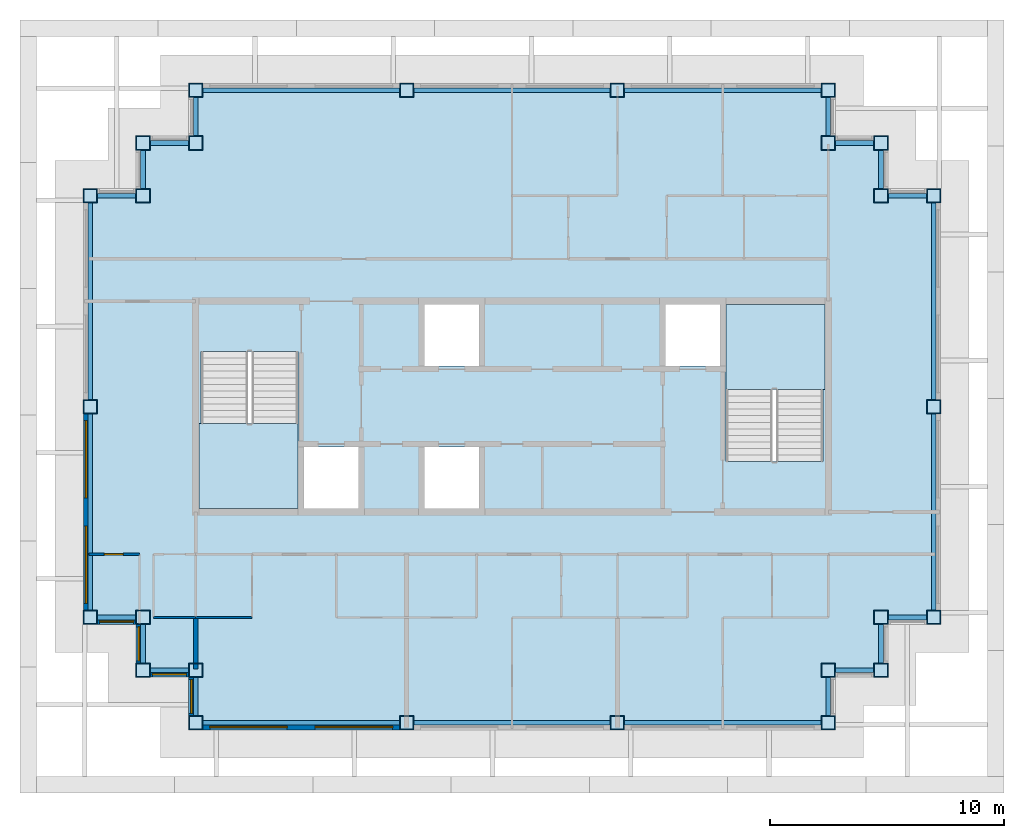
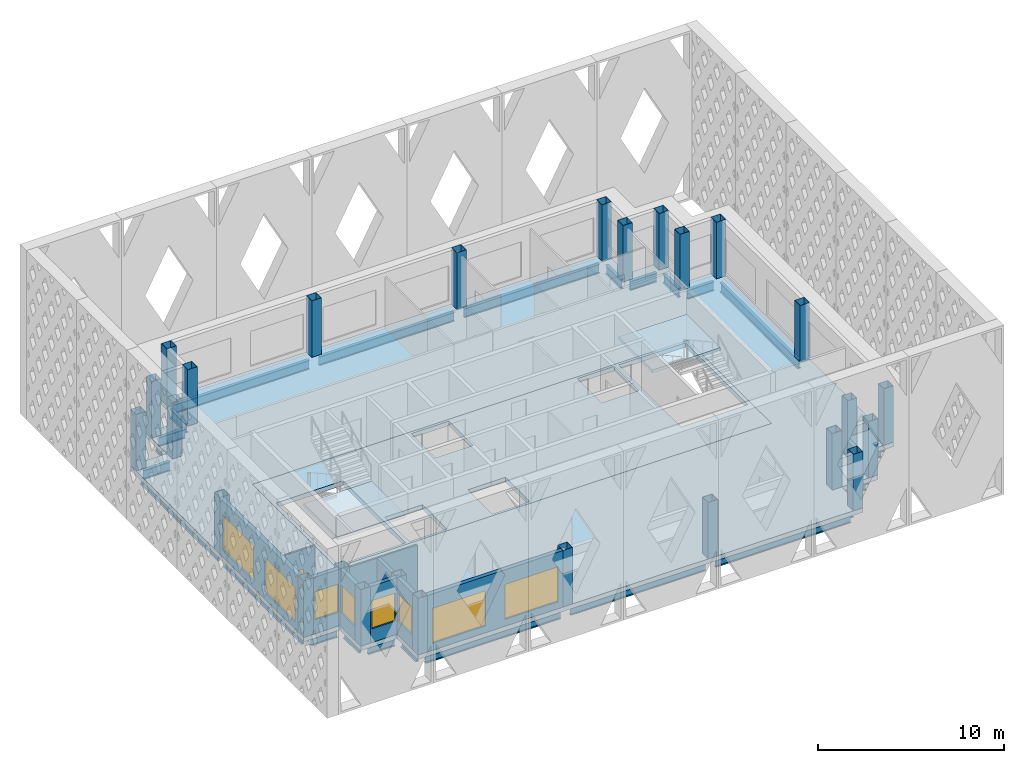
# One storey, part 1 of 13: 26 beams, 26 columns, 10 walls, 8 windows, 4 slabs, 1 door, 9 openings, 2 elements without a shape of their own.
"""IFC4 building model written with IfcOpenShell, lengths in metres."""

from ifc_helpers import new_model, si_unit, direction, frame, frame_2d, origin, origin_2d, place, context, subcontext, project, spatial, polyline, rectangle, hollow_rectangle, i_section, outline, extrude, material, layer, layer_set, material_profile, profile_set, type_object, element, fill, aggregate, save


model = new_model("IFC4")

# Units and contexts
model_context = context("Model", 3, precision=1e-05, world=origin(), true_north=direction((0.0, 1.0)))
body_context = subcontext(model_context, "Body", "Model", "MODEL_VIEW")
ifc_project = project(units=[si_unit("LENGTHUNIT", "METRE"), si_unit("AREAUNIT", "SQUARE_METRE"), si_unit("VOLUMEUNIT", "CUBIC_METRE"), si_unit("PLANEANGLEUNIT", "RADIAN"), si_unit("MASSUNIT", "GRAM", prefix="KILO")], contexts=[model_context])

# Site, building, storey
site_placement = place(None, origin())
site = spatial("IfcSite", under=ifc_project, at=site_placement, CompositionType="ELEMENT")
building_placement = place(site_placement, origin())
building = spatial("IfcBuilding", under=site, at=building_placement, Name="Caravel Reach Hotel and Residences", CompositionType="ELEMENT")
storey_placement = place(building_placement, frame((0.0, 0.0, 294.5)))
storey = spatial("IfcBuildingStorey", under=building, at=storey_placement, Name="L75", CompositionType="ELEMENT", Elevation=294.5)

# Columns
ifc_material_1 = material(Name="Concrete-filled steel tube Q390B with Concrete C60 infill", Category="concrete")
ifc_material_profile_1 = material_profile(ifc_material_1, hollow_rectangle(XDim=0.60009765625, YDim=0.60009765625, WallThickness=0.02001953125, at=origin_2d()), Name="RHS 600x600x20")
ifc_profile_set_1 = profile_set([ifc_material_profile_1], Name="Concrete-filled steel tube Q390B with Concrete C60 infill")
column_type = type_object("IfcColumnType", Name="CFT 600x600 Q390B C60", PredefinedType="COLUMN", material=ifc_profile_set_1)
for number, where, z_axis, x_axis, name in (
    (1, (45.0, 13.5, 0.0), (0.0, 0.0, 1.0), (1.0, 0.0, 0.0), "C8 column"),
    (2, (45.0, 15.75, 0.0), (0.0, 0.0, 1.0), (1.0, 0.0, 0.0), "C8 column"),
    (3, (47.25, 15.75, 0.0), (0.0, 0.0, 1.0), (1.0, 0.0, 0.0), "C8 column"),
    (4, (47.25, 18.0, 0.0), (0.0, 0.0, 1.0), (1.0, 0.0, 0.0), "C8 column"),
    (5, (49.5, 18.0, 0.0), (0.0, 0.0, 1.0), (1.0, 0.0, 0.0), "C8 column"),
    (6, (49.5, 27.0, 0.0), (0.0, 0.0, 1.0), (1.0, 0.0, 0.0), "C8 column"),
    (7, (49.5, 36.0, 0.0), (0.0, 0.0, 1.0), (1.0, 0.0, 0.0), "C8 column"),
    (8, (47.25, 36.0, 0.0), (0.0, 0.0, 1.0), (1.0, 0.0, 0.0), "C8 column"),
    (9, (47.25, 38.25, 0.0), (0.0, 0.0, 1.0), (1.0, 0.0, 0.0), "C8 column"),
    (10, (45.0, 38.25, 0.0), (0.0, 0.0, 1.0), (1.0, 0.0, 0.0), "C8 column"),
    (11, (45.0, 40.5, 0.0), (0.0, 0.0, 1.0), (1.0, 0.0, 0.0), "C8 column"),
    (12, (36.0, 40.5, 0.0), (0.0, 0.0, 1.0), (1.0, 0.0, 0.0), "C8 column"),
    (13, (27.0, 40.5, 0.0), (0.0, 0.0, 1.0), (1.0, 0.0, 0.0), "C8 column"),
    (14, (18.0, 40.5, 0.0), (0.0, 0.0, 1.0), (1.0, 0.0, 0.0), "C8 column"),
    (15, (18.0, 38.25, 0.0), (0.0, 0.0, 1.0), (1.0, 0.0, 0.0), "C8 column"),
    (16, (15.75, 38.25, 0.0), (0.0, 0.0, 1.0), (1.0, 0.0, 0.0), "C8 column"),
    (17, (15.75, 36.0, 0.0), (0.0, 0.0, 1.0), (1.0, 0.0, 0.0), "C8 column"),
    (18, (13.5, 36.0, 0.0), (0.0, 0.0, 1.0), (1.0, 0.0, 0.0), "C8 column"),
    (19, (13.5, 27.0, 0.0), (0.0, 0.0, 1.0), (1.0, 0.0, 0.0), "C8 column"),
    (20, (13.5, 18.0, 0.0), (0.0, 0.0, 1.0), (1.0, 0.0, 0.0), "C8 column"),
    (21, (15.75, 18.0, 0.0), (0.0, 0.0, 1.0), (1.0, 0.0, 0.0), "C8 column"),
    (22, (15.75, 15.75, 0.0), (0.0, 0.0, 1.0), (1.0, 0.0, 0.0), "C8 column"),
    (23, (18.0, 15.75, 0.0), (0.0, 0.0, 1.0), (1.0, 0.0, 0.0), "C8 column"),
    (24, (18.0, 13.5, 0.0), (0.0, 0.0, 1.0), (1.0, 0.0, 0.0), "C8 column"),
    (25, (27.0, 13.5, 0.0), (0.0, 0.0, 1.0), (1.0, 0.0, 0.0), "C8 column"),
    (26, (36.0, 13.5, 0.0), (0.0, 0.0, 1.0), (1.0, 0.0, 0.0), "C8 column"),
):
    element("IfcColumn", number, at=place(storey_placement, frame(where, z_axis=z_axis, x_axis=x_axis)), inside=storey, type_object=column_type, Name=name, PredefinedType="COLUMN", context=body_context, shape_type="SweptSolid", body=[
        extrude(hollow_rectangle(XDim=0.60009765625, YDim=0.60009765625, WallThickness=0.02001953125, at=origin_2d()), origin(), (0.0, 0.0, 1.0), 3.699951171875),
    ])

# Beams
ifc_material_2 = material(Name="Structural steel Q355B", Category="steel")
ifc_material_profile_2 = material_profile(ifc_material_2, i_section(OverallWidth=0.199951171875, OverallDepth=0.60009765625, WebThickness=0.010986328125, FlangeThickness=0.01708984375, FilletRadius=0.012939453125, at=origin_2d()), Name="HN 600x200x11x17")
ifc_profile_set_2 = profile_set([ifc_material_profile_2], Name="Structural steel Q355B")
beam_type = type_object("IfcBeamType", Name="Spandrel beam HN 600x200x11x17", PredefinedType="SPANDREL", material=ifc_profile_set_2)
for number, where, z_axis, x_axis, name in (
    (27, (45.0, 13.800048828125, -0.60009765625), (0.0, 1.0, 0.0), (-1.0, 0.0, 0.0), "SP1 HN 600x200x11x17"),
    (28, (45.300048828125, 15.75, -0.60009765625), (1.0, 0.0, 0.0), (0.0, 1.0, 0.0), "SP1 HN 600x200x11x17"),
    (29, (47.25, 16.050048828125, -0.60009765625), (0.0, 1.0, 0.0), (-1.0, 0.0, 0.0), "SP1 HN 600x200x11x17"),
    (30, (47.550048828125, 18.0, -0.60009765625), (1.0, 0.0, 0.0), (0.0, 1.0, 0.0), "SP1 HN 600x200x11x17"),
):
    element("IfcBeam", number, at=place(storey_placement, frame(where, z_axis=z_axis, x_axis=x_axis)), inside=storey, type_object=beam_type, Name=name, PredefinedType="SPANDREL", context=body_context, shape_type="SweptSolid", body=[
        extrude(i_section(OverallWidth=0.199951171875, OverallDepth=0.60009765625, WebThickness=0.010986328125, FlangeThickness=0.01708984375, FilletRadius=0.012939453125, at=origin_2d()), origin(), (0.0, 0.0, 1.0), 1.64990234375),
    ])
for number, where, z_axis, x_axis, name in (
    (31, (49.5, 18.300048828125, -0.60009765625), (0.0, 1.0, 0.0), (-1.0, 0.0, 0.0), "SP1 HN 600x200x11x17"),
    (32, (49.5, 27.300048828125, -0.60009765625), (0.0, 1.0, 0.0), (-1.0, 0.0, 0.0), "SP1 HN 600x200x11x17"),
):
    element("IfcBeam", number, at=place(storey_placement, frame(where, z_axis=z_axis, x_axis=x_axis)), inside=storey, type_object=beam_type, Name=name, PredefinedType="SPANDREL", context=body_context, shape_type="SweptSolid", body=[
        extrude(i_section(OverallWidth=0.199951171875, OverallDepth=0.60009765625, WebThickness=0.010986328125, FlangeThickness=0.01708984375, FilletRadius=0.012939453125, at=origin_2d()), origin(), (0.0, 0.0, 1.0), 8.39990234375),
    ])
for number, where, z_axis, x_axis, name in (
    (33, (49.199951171875, 36.0, -0.60009765625), (-1.0, 0.0, 0.0), (0.0, -1.0, 0.0), "SP1 HN 600x200x11x17"),
    (34, (47.25, 36.300048828125, -0.60009765625), (0.0, 1.0, 0.0), (-1.0, 0.0, 0.0), "SP1 HN 600x200x11x17"),
    (35, (46.949951171875, 38.25, -0.60009765625), (-1.0, 0.0, 0.0), (0.0, -1.0, 0.0), "SP1 HN 600x200x11x17"),
    (36, (45.0, 38.550048828125, -0.60009765625), (0.0, 1.0, 0.0), (-1.0, 0.0, 0.0), "SP1 HN 600x200x11x17"),
):
    element("IfcBeam", number, at=place(storey_placement, frame(where, z_axis=z_axis, x_axis=x_axis)), inside=storey, type_object=beam_type, Name=name, PredefinedType="SPANDREL", context=body_context, shape_type="SweptSolid", body=[
        extrude(i_section(OverallWidth=0.199951171875, OverallDepth=0.60009765625, WebThickness=0.010986328125, FlangeThickness=0.01708984375, FilletRadius=0.012939453125, at=origin_2d()), origin(), (0.0, 0.0, 1.0), 1.64990234375),
    ])
for number, where, z_axis, x_axis, name in (
    (37, (44.699951171875, 40.5, -0.60009765625), (-1.0, 0.0, 0.0), (0.0, -1.0, 0.0), "SP1 HN 600x200x11x17"),
    (38, (35.699951171875, 40.5, -0.60009765625), (-1.0, 0.0, 0.0), (0.0, -1.0, 0.0), "SP1 HN 600x200x11x17"),
    (39, (26.699951171875, 40.5, -0.60009765625), (-1.0, 0.0, 0.0), (0.0, -1.0, 0.0), "SP1 HN 600x200x11x17"),
):
    element("IfcBeam", number, at=place(storey_placement, frame(where, z_axis=z_axis, x_axis=x_axis)), inside=storey, type_object=beam_type, Name=name, PredefinedType="SPANDREL", context=body_context, shape_type="SweptSolid", body=[
        extrude(i_section(OverallWidth=0.199951171875, OverallDepth=0.60009765625, WebThickness=0.010986328125, FlangeThickness=0.01708984375, FilletRadius=0.012939453125, at=origin_2d()), origin(), (0.0, 0.0, 1.0), 8.39990234375),
    ])
for number, where, z_axis, x_axis, name in (
    (40, (18.0, 40.199951171875, -0.60009765625), (0.0, -1.0, 0.0), (1.0, 0.0, 0.0), "SP1 HN 600x200x11x17"),
    (41, (17.699951171875, 38.25, -0.60009765625), (-1.0, 0.0, 0.0), (0.0, -1.0, 0.0), "SP1 HN 600x200x11x17"),
    (42, (15.75, 37.949951171875, -0.60009765625), (0.0, -1.0, 0.0), (1.0, 0.0, 0.0), "SP1 HN 600x200x11x17"),
    (43, (15.449951171875, 36.0, -0.60009765625), (-1.0, 0.0, 0.0), (0.0, -1.0, 0.0), "SP1 HN 600x200x11x17"),
):
    element("IfcBeam", number, at=place(storey_placement, frame(where, z_axis=z_axis, x_axis=x_axis)), inside=storey, type_object=beam_type, Name=name, PredefinedType="SPANDREL", context=body_context, shape_type="SweptSolid", body=[
        extrude(i_section(OverallWidth=0.199951171875, OverallDepth=0.60009765625, WebThickness=0.010986328125, FlangeThickness=0.01708984375, FilletRadius=0.012939453125, at=origin_2d()), origin(), (0.0, 0.0, 1.0), 1.64990234375),
    ])
for number, where, z_axis, x_axis, name in (
    (44, (13.5, 35.699951171875, -0.60009765625), (0.0, -1.0, 0.0), (1.0, 0.0, 0.0), "SP1 HN 600x200x11x17"),
    (45, (13.5, 26.699951171875, -0.60009765625), (0.0, -1.0, 0.0), (1.0, 0.0, 0.0), "SP1 HN 600x200x11x17"),
):
    element("IfcBeam", number, at=place(storey_placement, frame(where, z_axis=z_axis, x_axis=x_axis)), inside=storey, type_object=beam_type, Name=name, PredefinedType="SPANDREL", context=body_context, shape_type="SweptSolid", body=[
        extrude(i_section(OverallWidth=0.199951171875, OverallDepth=0.60009765625, WebThickness=0.010986328125, FlangeThickness=0.01708984375, FilletRadius=0.012939453125, at=origin_2d()), origin(), (0.0, 0.0, 1.0), 8.39990234375),
    ])
for number, where, z_axis, x_axis, name in (
    (46, (13.800048828125, 18.0, -0.60009765625), (1.0, 0.0, 0.0), (0.0, 1.0, 0.0), "SP1 HN 600x200x11x17"),
    (47, (15.75, 17.699951171875, -0.60009765625), (0.0, -1.0, 0.0), (1.0, 0.0, 0.0), "SP1 HN 600x200x11x17"),
    (48, (16.050048828125, 15.75, -0.60009765625), (1.0, 0.0, 0.0), (0.0, 1.0, 0.0), "SP1 HN 600x200x11x17"),
    (49, (18.0, 15.449951171875, -0.60009765625), (0.0, -1.0, 0.0), (1.0, 0.0, 0.0), "SP1 HN 600x200x11x17"),
):
    element("IfcBeam", number, at=place(storey_placement, frame(where, z_axis=z_axis, x_axis=x_axis)), inside=storey, type_object=beam_type, Name=name, PredefinedType="SPANDREL", context=body_context, shape_type="SweptSolid", body=[
        extrude(i_section(OverallWidth=0.199951171875, OverallDepth=0.60009765625, WebThickness=0.010986328125, FlangeThickness=0.01708984375, FilletRadius=0.012939453125, at=origin_2d()), origin(), (0.0, 0.0, 1.0), 1.64990234375),
    ])
for number, where, z_axis, x_axis, name in (
    (50, (18.300048828125, 13.5, -0.60009765625), (1.0, 0.0, 0.0), (0.0, 1.0, 0.0), "SP1 HN 600x200x11x17"),
    (51, (27.300048828125, 13.5, -0.60009765625), (1.0, 0.0, 0.0), (0.0, 1.0, 0.0), "SP1 HN 600x200x11x17"),
    (52, (36.300048828125, 13.5, -0.60009765625), (1.0, 0.0, 0.0), (0.0, 1.0, 0.0), "SP1 HN 600x200x11x17"),
):
    element("IfcBeam", number, at=place(storey_placement, frame(where, z_axis=z_axis, x_axis=x_axis)), inside=storey, type_object=beam_type, Name=name, PredefinedType="SPANDREL", context=body_context, shape_type="SweptSolid", body=[
        extrude(i_section(OverallWidth=0.199951171875, OverallDepth=0.60009765625, WebThickness=0.010986328125, FlangeThickness=0.01708984375, FilletRadius=0.012939453125, at=origin_2d()), origin(), (0.0, 0.0, 1.0), 8.39990234375),
    ])

# Slab
ifc_material_3 = material(Name="Concrete C40", Category="concrete")
ifc_layer_1 = layer(ifc_material_3, 0.300048828125)
ifc_layer_set_1 = layer_set([ifc_layer_1], Name="Core floor slab 300 mm")
slab_type_1 = type_object("IfcSlabType", Name="Core floor slab 300 mm", PredefinedType="FLOOR", material=ifc_layer_set_1)
slab_1_placement = place(storey_placement, frame((0.0, 0.0, -0.300048828125)))
element("IfcSlab", 53, at=slab_1_placement, inside=storey, type_object=slab_type_1, Name="L75 core floor", PredefinedType="FLOOR", context=body_context, shape_type="SweptSolid", body=[
    extrude(outline(polyline([(18.0, 31.5), (45.0, 31.5), (45.0, 22.5), (18.0, 22.5), (18.0, 31.5)]), holes=[polyline([(22.625, 22.64990234375), (24.9462890625, 22.64990234375), (24.9462890625, 25.27490234375), (22.625, 25.27490234375), (22.625, 22.64990234375)]), polyline([(27.767822265625, 25.27490234375), (27.767822265625, 22.64990234375), (30.08935546875, 22.64990234375), (30.08935546875, 25.27490234375), (27.767822265625, 25.27490234375)]), polyline([(22.375, 22.64990234375), (22.375, 29.35009765625), (18.22509765625, 29.35009765625), (18.22509765625, 22.64990234375), (22.375, 22.64990234375)]), polyline([(40.625, 24.64990234375), (44.77490234375, 24.64990234375), (44.77490234375, 31.35009765625), (40.625, 31.35009765625), (40.625, 24.64990234375)]), polyline([(27.767822265625, 31.35009765625), (27.767822265625, 28.72509765625), (30.08935546875, 28.72509765625), (30.08935546875, 31.35009765625), (27.767822265625, 31.35009765625)]), polyline([(38.0537109375, 31.35009765625), (38.0537109375, 28.72509765625), (40.375, 28.72509765625), (40.375, 31.35009765625), (38.0537109375, 31.35009765625)])]), origin(), (0.0, 0.0, 1.0), 0.300048828125),
])

# Stair, slab
ifc_material_4 = material(Name="Concrete C40", Category="concrete")
stair_type = type_object("IfcStairType", Name="Core stair", PredefinedType="HALF_TURN_STAIR", material=ifc_material_4)
stair_1_placement = place(storey_placement, origin())
stair_1 = element("IfcStair", 54, at=stair_1_placement, inside=storey, type_object=stair_type, Name="L75 Exit stair A", PredefinedType="HALF_TURN_STAIR")
ifc_material_5 = material(Name="Concrete C40", Category="concrete")
ifc_layer_2 = layer(ifc_material_5, 0.199951171875)
ifc_layer_set_2 = layer_set([ifc_layer_2], Name="Core stair landing")
slab_type_2 = type_object("IfcSlabType", Name="Core stair landing", PredefinedType="LANDING", material=ifc_layer_set_2)
slab_2_placement = place(storey_placement, frame((0.0, 0.0, 1.64990234375)))
slab_2 = element("IfcSlab", 55, at=slab_2_placement, type_object=slab_type_2, Name="ST-A landing 1", PredefinedType="LANDING", context=body_context, shape_type="SweptSolid", body=[
    extrude(outline(polyline([(18.14990234375, 26.27001953125), (18.14990234375, 22.64990234375), (22.375, 22.64990234375), (22.375, 26.27001953125), (18.14990234375, 26.27001953125)])), origin(), (0.0, 0.0, 1.0), 0.2001953125),
])
aggregate(stair_1, [slab_2])

stair_2_placement = place(storey_placement, origin())
stair_2 = element("IfcStair", 56, at=stair_2_placement, inside=storey, type_object=stair_type, Name="L75 Exit stair B", PredefinedType="HALF_TURN_STAIR")
slab_3_placement = place(storey_placement, frame((0.0, 0.0, 1.64990234375)))
slab_3 = element("IfcSlab", 57, at=slab_3_placement, type_object=slab_type_2, Name="ST-B landing 1", PredefinedType="LANDING", context=body_context, shape_type="SweptSolid", body=[
    extrude(outline(polyline([(44.85009765625, 27.72998046875), (44.85009765625, 31.35009765625), (40.625, 31.35009765625), (40.625, 27.72998046875), (44.85009765625, 27.72998046875)])), origin(), (0.0, 0.0, 1.0), 0.2001953125),
])
aggregate(stair_2, [slab_3])

# Slab
ifc_material_6 = material(Name="Concrete C40 post-tensioned", Category="concrete")
ifc_layer_3 = layer(ifc_material_6, 0.300048828125)
ifc_layer_set_3 = layer_set([ifc_layer_3], Name="Floor slab 300")
slab_type_3 = type_object("IfcSlabType", Name="Floor slab 300", PredefinedType="FLOOR", material=ifc_layer_set_3)
slab_4_placement = place(storey_placement, frame((0.0, 0.0, -0.300048828125)))
element("IfcSlab", 58, at=slab_4_placement, inside=storey, type_object=slab_type_3, Name="S2 slab L75", PredefinedType="FLOOR", context=body_context, shape_type="SweptSolid", body=[
    extrude(outline(polyline([(17.699951171875, 15.449951171875), (15.449951171875, 15.449951171875), (15.449951171875, 17.699951171875), (13.199951171875, 17.699951171875), (13.199951171875, 36.300048828125), (15.449951171875, 36.300048828125), (15.449951171875, 38.550048828125), (17.699951171875, 38.550048828125), (17.699951171875, 40.800048828125), (45.300048828125, 40.800048828125), (45.300048828125, 38.550048828125), (47.550048828125, 38.550048828125), (47.550048828125, 36.300048828125), (49.800048828125, 36.300048828125), (49.800048828125, 17.699951171875), (47.550048828125, 17.699951171875), (47.550048828125, 15.449951171875), (45.300048828125, 15.449951171875), (45.300048828125, 13.199951171875), (17.699951171875, 13.199951171875), (17.699951171875, 15.449951171875)]), holes=[polyline([(45.0, 31.5), (18.0, 31.5), (18.0, 22.5), (45.0, 22.5), (45.0, 31.5)])]), origin(), (0.0, 0.0, 1.0), 0.300048828125),
])

# Wall
ifc_material_7 = material(Name="Gypsum board on steel stud", Category="steel")
ifc_layer_4 = layer(ifc_material_7, 0.10009765625)
ifc_layer_set_4 = layer_set([ifc_layer_4], Name="Bathroom pod wall 100 mm")
wall_type_1 = type_object("IfcWallType", Name="Bathroom pod wall 100 mm", PredefinedType="PARTITIONING", material=ifc_layer_set_4)
wall_1_placement = place(storey_placement, frame((18.0, 18.0, 0.0), z_axis=(0.0, 0.0, 1.0), x_axis=(1.0, 0.0, 0.0)))
element("IfcWall", 59, at=wall_1_placement, inside=storey, type_object=wall_type_1, Name="L75 wall w045", PredefinedType="PARTITIONING", context=body_context, shape_type="SweptSolid", body=[
    extrude(rectangle(XDim=2.39990234375, YDim=0.10009765625, at=frame_2d((1.199951171875, 0.0))), origin(), (0.0, 0.0, 1.0), 3.39990234375),
])

# Wall, opening, door
wall_2_placement = place(storey_placement, frame((13.449951171875, 20.699951171875, 0.0), z_axis=(0.0, 0.0, 1.0), x_axis=(1.0, 0.0, 0.0)))
wall_2 = element("IfcWall", 60, at=wall_2_placement, inside=storey, type_object=wall_type_1, Name="L75 wall w051", PredefinedType="PARTITIONING", context=body_context, shape_type="SweptSolid", body=[
    extrude(rectangle(XDim=2.150146484375, YDim=0.10009765625, at=frame_2d((1.0751953125, 0.0))), origin(), (0.0, 0.0, 1.0), 3.39990234375),
])
opening_1_placement = place(wall_2_placement, frame((0.64990234375, 0.0, 0.0)))
opening_1 = element("IfcOpeningElement", 61, at=opening_1_placement, cuts=wall_2, Name="Opening D75-036", PredefinedType="OPENING", context=body_context, shape_type="SweptSolid", body=[
    extrude(rectangle(XDim=0.800048828125, YDim=2.10009765625, at=frame_2d((0.39990234375, 1.050048828125))), frame((0.0, 0.06005859375, 0.0), z_axis=(0.0, -1.0, 0.0), x_axis=(1.0, 0.0, 0.0)), (0.0, 0.0, 1.0), 0.1201171875),
])
ifc_material_8 = material(Name="Timber and steel door leaf", Category="steel")
door_type = type_object("IfcDoorType", Name="Bathroom door 800 x 2100", OperationType="SINGLE_SWING_LEFT", PredefinedType="DOOR", material=ifc_material_8)
door_placement = place(opening_1_placement, origin())
door = element("IfcDoor", 62, at=door_placement, inside=storey, type_object=door_type, Name="door D75-036", OperationType="SINGLE_SWING_LEFT", OverallHeight=2.10009765625, OverallWidth=0.800048828125, PredefinedType="DOOR", context=body_context, shape_type="SweptSolid", body=[
    extrude(rectangle(XDim=0.800048828125, YDim=2.10009765625, at=frame_2d((0.39990234375, 1.050048828125))), frame((0.0, 0.02490234375, 0.0), z_axis=(0.0, -1.0, 0.0), x_axis=(1.0, 0.0, 0.0)), (0.0, 0.0, 1.0), 0.050048828125),
])
fill(opening_1, door)

# Wall, openings, windows
ifc_material_9 = material(Name="Insulated rainscreen wall, aluminium cladding", Category="aluminium")
ifc_layer_5 = layer(ifc_material_9, 0.25)
ifc_layer_set_5 = layer_set([ifc_layer_5], Name="EW1 Tower rainscreen wall")
wall_type_2 = type_object("IfcWallType", Name="EW1 Tower rainscreen wall", PredefinedType="SOLIDWALL", material=ifc_layer_set_5)
wall_3_placement = place(storey_placement, frame((13.324951171875, 26.699951171875, 0.0), z_axis=(0.0, 0.0, 1.0), x_axis=(0.0, -1.0, 0.0)))
wall_3 = element("IfcWall", 63, at=wall_3_placement, inside=storey, type_object=wall_type_2, Name="External wall L75 W15.2", PredefinedType="SOLIDWALL", context=body_context, shape_type="SweptSolid", body=[
    extrude(rectangle(XDim=8.39990234375, YDim=0.25, at=frame_2d((4.199951171875, 0.0))), origin(), (0.0, 0.0, 1.0), 3.699951171875),
])
opening_2_placement = place(wall_3_placement, frame((0.300048828125, 0.0, 0.449951171875)))
opening_2 = element("IfcOpeningElement", 64, at=opening_2_placement, cuts=wall_3, Name="Opening WN15", PredefinedType="OPENING", context=body_context, shape_type="SweptSolid", body=[
    extrude(rectangle(XDim=3.300048828125, YDim=2.300048828125, at=frame_2d((1.64990234375, 1.14990234375))), frame((0.0, 0.135009765625, 0.0), z_axis=(0.0, -1.0, 0.0), x_axis=(1.0, 0.0, 0.0)), (0.0, 0.0, 1.0), 0.27001953125),
])
opening_3_placement = place(wall_3_placement, frame((4.800048828125, 0.0, 0.449951171875)))
opening_3 = element("IfcOpeningElement", 65, at=opening_3_placement, cuts=wall_3, Name="Opening WN15", PredefinedType="OPENING", context=body_context, shape_type="SweptSolid", body=[
    extrude(rectangle(XDim=3.300048828125, YDim=2.300048828125, at=frame_2d((1.64990234375, 1.14990234375))), frame((0.0, 0.135009765625, 0.0), z_axis=(0.0, -1.0, 0.0), x_axis=(1.0, 0.0, 0.0)), (0.0, 0.0, 1.0), 0.27001953125),
])
ifc_material_10 = material(Name="Dark low-e glazing in black aluminium frame", Category="aluminium")
window_type_1 = type_object("IfcWindowType", Name="Residence living window 3300 x 2300", PartitioningType="SINGLE_PANEL", PredefinedType="WINDOW", material=ifc_material_10)
window_1_placement = place(opening_2_placement, origin())
window_1 = element("IfcWindow", 66, at=window_1_placement, inside=storey, type_object=window_type_1, Name="Window L75 W15.2.1", OverallHeight=2.300048828125, OverallWidth=3.300048828125, PartitioningType="SINGLE_PANEL", PredefinedType="WINDOW", context=body_context, shape_type="SweptSolid", body=[
    extrude(rectangle(XDim=3.300048828125, YDim=2.300048828125, at=frame_2d((1.64990234375, 1.14990234375))), frame((0.0, 0.030029296875, 0.0), z_axis=(0.0, -1.0, 0.0), x_axis=(1.0, 0.0, 0.0)), (0.0, 0.0, 1.0), 0.06005859375),
])
fill(opening_2, window_1)
window_2_placement = place(opening_3_placement, origin())
window_2 = element("IfcWindow", 67, at=window_2_placement, inside=storey, type_object=window_type_1, Name="Window L75 W15.2.2", OverallHeight=2.300048828125, OverallWidth=3.300048828125, PartitioningType="SINGLE_PANEL", PredefinedType="WINDOW", context=body_context, shape_type="SweptSolid", body=[
    extrude(rectangle(XDim=3.300048828125, YDim=2.300048828125, at=frame_2d((1.64990234375, 1.14990234375))), frame((0.0, 0.030029296875, 0.0), z_axis=(0.0, -1.0, 0.0), x_axis=(1.0, 0.0, 0.0)), (0.0, 0.0, 1.0), 0.06005859375),
])
fill(opening_3, window_2)

# Wall, opening, window
wall_4_placement = place(storey_placement, frame((13.800048828125, 17.824951171875, 0.0), z_axis=(0.0, 0.0, 1.0), x_axis=(1.0, 0.0, 0.0)))
wall_4 = element("IfcWall", 68, at=wall_4_placement, inside=storey, type_object=wall_type_2, Name="External wall L75 S16.1", PredefinedType="SOLIDWALL", context=body_context, shape_type="SweptSolid", body=[
    extrude(rectangle(XDim=1.64990234375, YDim=0.25, at=frame_2d((0.824951171875, 0.0))), origin(), (0.0, 0.0, 1.0), 3.699951171875),
])
opening_4_placement = place(wall_4_placement, frame((0.10009765625, 0.0, 0.89990234375)))
opening_4 = element("IfcOpeningElement", 69, at=opening_4_placement, cuts=wall_4, Name="Opening WN25", PredefinedType="OPENING", context=body_context, shape_type="SweptSolid", body=[
    extrude(rectangle(XDim=1.449951171875, YDim=1.85009765625, at=frame_2d((0.72509765625, 0.925048828125))), frame((0.0, 0.135009765625, 0.0), z_axis=(0.0, -1.0, 0.0), x_axis=(1.0, 0.0, 0.0)), (0.0, 0.0, 1.0), 0.27001953125),
])
ifc_material_11 = material(Name="Dark low-e glazing in black aluminium frame", Category="aluminium")
window_type_2 = type_object("IfcWindowType", Name="Residence bedroom window 1450 x 1850", PartitioningType="SINGLE_PANEL", PredefinedType="WINDOW", material=ifc_material_11)
window_3_placement = place(opening_4_placement, origin())
window_3 = element("IfcWindow", 70, at=window_3_placement, inside=storey, type_object=window_type_2, Name="Window L75 S16.1.1", OverallHeight=1.85009765625, OverallWidth=1.449951171875, PartitioningType="SINGLE_PANEL", PredefinedType="WINDOW", context=body_context, shape_type="SweptSolid", body=[
    extrude(rectangle(XDim=1.449951171875, YDim=1.85009765625, at=frame_2d((0.72509765625, 0.925048828125))), frame((0.0, 0.030029296875, 0.0), z_axis=(0.0, -1.0, 0.0), x_axis=(1.0, 0.0, 0.0)), (0.0, 0.0, 1.0), 0.06005859375),
])
fill(opening_4, window_3)

wall_5_placement = place(storey_placement, frame((15.574951171875, 17.699951171875, 0.0), z_axis=(0.0, 0.0, 1.0), x_axis=(0.0, -1.0, 0.0)))
wall_5 = element("IfcWall", 71, at=wall_5_placement, inside=storey, type_object=wall_type_2, Name="External wall L75 W17.1", PredefinedType="SOLIDWALL", context=body_context, shape_type="SweptSolid", body=[
    extrude(rectangle(XDim=1.64990234375, YDim=0.25, at=frame_2d((0.824951171875, 0.0))), origin(), (0.0, 0.0, 1.0), 3.699951171875),
])
opening_5_placement = place(wall_5_placement, frame((0.10009765625, 0.0, 0.89990234375)))
opening_5 = element("IfcOpeningElement", 72, at=opening_5_placement, cuts=wall_5, Name="Opening WN25", PredefinedType="OPENING", context=body_context, shape_type="SweptSolid", body=[
    extrude(rectangle(XDim=1.449951171875, YDim=1.85009765625, at=frame_2d((0.72509765625, 0.925048828125))), frame((0.0, 0.135009765625, 0.0), z_axis=(0.0, -1.0, 0.0), x_axis=(1.0, 0.0, 0.0)), (0.0, 0.0, 1.0), 0.27001953125),
])
window_4_placement = place(opening_5_placement, origin())
window_4 = element("IfcWindow", 73, at=window_4_placement, inside=storey, type_object=window_type_2, Name="Window L75 W17.1.1", OverallHeight=1.85009765625, OverallWidth=1.449951171875, PartitioningType="SINGLE_PANEL", PredefinedType="WINDOW", context=body_context, shape_type="SweptSolid", body=[
    extrude(rectangle(XDim=1.449951171875, YDim=1.85009765625, at=frame_2d((0.72509765625, 0.925048828125))), frame((0.0, 0.030029296875, 0.0), z_axis=(0.0, -1.0, 0.0), x_axis=(1.0, 0.0, 0.0)), (0.0, 0.0, 1.0), 0.06005859375),
])
fill(opening_5, window_4)

wall_6_placement = place(storey_placement, frame((16.050048828125, 15.574951171875, 0.0), z_axis=(0.0, 0.0, 1.0), x_axis=(1.0, 0.0, 0.0)))
wall_6 = element("IfcWall", 74, at=wall_6_placement, inside=storey, type_object=wall_type_2, Name="External wall L75 S18.1", PredefinedType="SOLIDWALL", context=body_context, shape_type="SweptSolid", body=[
    extrude(rectangle(XDim=1.64990234375, YDim=0.25, at=frame_2d((0.824951171875, 0.0))), origin(), (0.0, 0.0, 1.0), 3.699951171875),
])
opening_6_placement = place(wall_6_placement, frame((0.10009765625, 0.0, 0.89990234375)))
opening_6 = element("IfcOpeningElement", 75, at=opening_6_placement, cuts=wall_6, Name="Opening WN25", PredefinedType="OPENING", context=body_context, shape_type="SweptSolid", body=[
    extrude(rectangle(XDim=1.449951171875, YDim=1.85009765625, at=frame_2d((0.72509765625, 0.925048828125))), frame((0.0, 0.135009765625, 0.0), z_axis=(0.0, -1.0, 0.0), x_axis=(1.0, 0.0, 0.0)), (0.0, 0.0, 1.0), 0.27001953125),
])
window_5_placement = place(opening_6_placement, origin())
window_5 = element("IfcWindow", 76, at=window_5_placement, inside=storey, type_object=window_type_2, Name="Window L75 S18.1.1", OverallHeight=1.85009765625, OverallWidth=1.449951171875, PartitioningType="SINGLE_PANEL", PredefinedType="WINDOW", context=body_context, shape_type="SweptSolid", body=[
    extrude(rectangle(XDim=1.449951171875, YDim=1.85009765625, at=frame_2d((0.72509765625, 0.925048828125))), frame((0.0, 0.030029296875, 0.0), z_axis=(0.0, -1.0, 0.0), x_axis=(1.0, 0.0, 0.0)), (0.0, 0.0, 1.0), 0.06005859375),
])
fill(opening_6, window_5)

wall_7_placement = place(storey_placement, frame((17.824951171875, 15.449951171875, 0.0), z_axis=(0.0, 0.0, 1.0), x_axis=(0.0, -1.0, 0.0)))
wall_7 = element("IfcWall", 77, at=wall_7_placement, inside=storey, type_object=wall_type_2, Name="External wall L75 W19.1", PredefinedType="SOLIDWALL", context=body_context, shape_type="SweptSolid", body=[
    extrude(rectangle(XDim=1.64990234375, YDim=0.25, at=frame_2d((0.824951171875, 0.0))), origin(), (0.0, 0.0, 1.0), 3.699951171875),
])
opening_7_placement = place(wall_7_placement, frame((0.10009765625, 0.0, 0.89990234375)))
opening_7 = element("IfcOpeningElement", 78, at=opening_7_placement, cuts=wall_7, Name="Opening WN25", PredefinedType="OPENING", context=body_context, shape_type="SweptSolid", body=[
    extrude(rectangle(XDim=1.449951171875, YDim=1.85009765625, at=frame_2d((0.72509765625, 0.925048828125))), frame((0.0, 0.135009765625, 0.0), z_axis=(0.0, -1.0, 0.0), x_axis=(1.0, 0.0, 0.0)), (0.0, 0.0, 1.0), 0.27001953125),
])
window_6_placement = place(opening_7_placement, origin())
window_6 = element("IfcWindow", 79, at=window_6_placement, inside=storey, type_object=window_type_2, Name="Window L75 W19.1.1", OverallHeight=1.85009765625, OverallWidth=1.449951171875, PartitioningType="SINGLE_PANEL", PredefinedType="WINDOW", context=body_context, shape_type="SweptSolid", body=[
    extrude(rectangle(XDim=1.449951171875, YDim=1.85009765625, at=frame_2d((0.72509765625, 0.925048828125))), frame((0.0, 0.030029296875, 0.0), z_axis=(0.0, -1.0, 0.0), x_axis=(1.0, 0.0, 0.0)), (0.0, 0.0, 1.0), 0.06005859375),
])
fill(opening_7, window_6)

# Wall, openings, windows
wall_8_placement = place(storey_placement, frame((18.300048828125, 13.324951171875, 0.0), z_axis=(0.0, 0.0, 1.0), x_axis=(1.0, 0.0, 0.0)))
wall_8 = element("IfcWall", 80, at=wall_8_placement, inside=storey, type_object=wall_type_2, Name="External wall L75 S20.1", PredefinedType="SOLIDWALL", context=body_context, shape_type="SweptSolid", body=[
    extrude(rectangle(XDim=8.39990234375, YDim=0.25, at=frame_2d((4.199951171875, 0.0))), origin(), (0.0, 0.0, 1.0), 3.699951171875),
])
opening_8_placement = place(wall_8_placement, frame((0.300048828125, 0.0, 0.449951171875)))
opening_8 = element("IfcOpeningElement", 81, at=opening_8_placement, cuts=wall_8, Name="Opening WN15", PredefinedType="OPENING", context=body_context, shape_type="SweptSolid", body=[
    extrude(rectangle(XDim=3.300048828125, YDim=2.300048828125, at=frame_2d((1.64990234375, 1.14990234375))), frame((0.0, 0.135009765625, 0.0), z_axis=(0.0, -1.0, 0.0), x_axis=(1.0, 0.0, 0.0)), (0.0, 0.0, 1.0), 0.27001953125),
])
opening_9_placement = place(wall_8_placement, frame((4.800048828125, 0.0, 0.449951171875)))
opening_9 = element("IfcOpeningElement", 82, at=opening_9_placement, cuts=wall_8, Name="Opening WN15", PredefinedType="OPENING", context=body_context, shape_type="SweptSolid", body=[
    extrude(rectangle(XDim=3.300048828125, YDim=2.300048828125, at=frame_2d((1.64990234375, 1.14990234375))), frame((0.0, 0.135009765625, 0.0), z_axis=(0.0, -1.0, 0.0), x_axis=(1.0, 0.0, 0.0)), (0.0, 0.0, 1.0), 0.27001953125),
])
window_7_placement = place(opening_8_placement, origin())
window_7 = element("IfcWindow", 83, at=window_7_placement, inside=storey, type_object=window_type_1, Name="Window L75 S20.1.1", OverallHeight=2.300048828125, OverallWidth=3.300048828125, PartitioningType="SINGLE_PANEL", PredefinedType="WINDOW", context=body_context, shape_type="SweptSolid", body=[
    extrude(rectangle(XDim=3.300048828125, YDim=2.300048828125, at=frame_2d((1.64990234375, 1.14990234375))), frame((0.0, 0.030029296875, 0.0), z_axis=(0.0, -1.0, 0.0), x_axis=(1.0, 0.0, 0.0)), (0.0, 0.0, 1.0), 0.06005859375),
])
fill(opening_8, window_7)
window_8_placement = place(opening_9_placement, origin())
window_8 = element("IfcWindow", 84, at=window_8_placement, inside=storey, type_object=window_type_1, Name="Window L75 S20.1.2", OverallHeight=2.300048828125, OverallWidth=3.300048828125, PartitioningType="SINGLE_PANEL", PredefinedType="WINDOW", context=body_context, shape_type="SweptSolid", body=[
    extrude(rectangle(XDim=3.300048828125, YDim=2.300048828125, at=frame_2d((1.64990234375, 1.14990234375))), frame((0.0, 0.030029296875, 0.0), z_axis=(0.0, -1.0, 0.0), x_axis=(1.0, 0.0, 0.0)), (0.0, 0.0, 1.0), 0.06005859375),
])
fill(opening_9, window_8)

# Walls
ifc_material_12 = material(Name="Gypsum board on steel stud", Category="steel")
ifc_layer_6 = layer(ifc_material_12, 0.10009765625)
ifc_layer_set_6 = layer_set([ifc_layer_6], Name="Partition 100 mm")
wall_type_3 = type_object("IfcWallType", Name="Partition 100 mm", PredefinedType="PARTITIONING", material=ifc_layer_set_6)
wall_9_placement = place(storey_placement, frame((16.199951171875, 18.0, 0.0), z_axis=(0.0, 0.0, 1.0), x_axis=(1.0, 0.0, 0.0)))
element("IfcWall", 85, at=wall_9_placement, inside=storey, type_object=wall_type_3, Name="L75 wall w022", PredefinedType="PARTITIONING", context=body_context, shape_type="SweptSolid", body=[
    extrude(rectangle(XDim=1.800048828125, YDim=0.10009765625, at=frame_2d((0.89990234375, 0.0))), origin(), (0.0, 0.0, 1.0), 3.39990234375),
])
ifc_material_13 = material(Name="Autoclaved aerated block wall")
ifc_layer_7 = layer(ifc_material_13, 0.199951171875)
ifc_layer_set_7 = layer_set([ifc_layer_7], Name="Party wall 200 mm EI 60")
wall_type_4 = type_object("IfcWallType", Name="Party wall 200 mm EI 60", PredefinedType="PARTITIONING", material=ifc_layer_set_7)
wall_10_placement = place(storey_placement, frame((18.0, 15.800048828125, 0.0), z_axis=(0.0, 0.0, 1.0), x_axis=(0.0, 1.0, 0.0)))
element("IfcWall", 86, at=wall_10_placement, inside=storey, type_object=wall_type_4, Name="L75 wall w041", PredefinedType="PARTITIONING", context=body_context, shape_type="SweptSolid", body=[
    extrude(rectangle(XDim=2.199951171875, YDim=0.199951171875, at=frame_2d((1.10009765625, 0.0))), origin(), (0.0, 0.0, 1.0), 3.39990234375),
])

save(model, "model.ifc")
